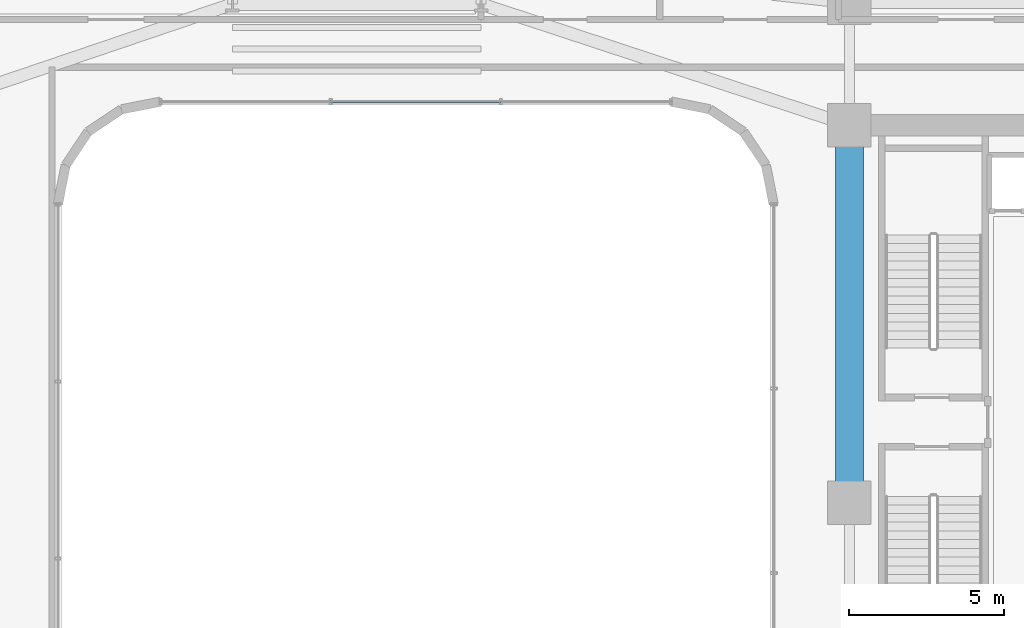
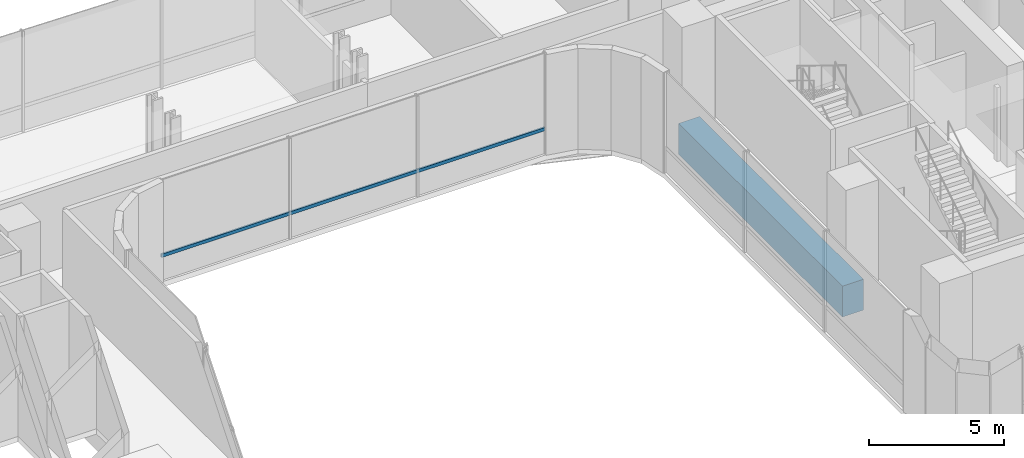
# One storey, part 17 of 39: 1 beam, 1 member, 1 element without a shape of its own.
"""IFC4 building model written with IfcOpenShell, lengths in metres."""

from ifc_helpers import new_model, si_unit, direction, frame, origin, origin_2d, place, context, subcontext, project, spatial, rectangle, hollow_rectangle, extrude, source, transform, mapped, material, material_profile, profile_set, type_object, element, aggregate, save


model = new_model("IFC4")

# Units and contexts
model_context = context("Model", 3, precision=1e-05, world=origin(), true_north=direction((0.0, 1.0)))
body_context = subcontext(model_context, "Body", "Model", "MODEL_VIEW")
ifc_project = project(units=[si_unit("LENGTHUNIT", "METRE"), si_unit("AREAUNIT", "SQUARE_METRE"), si_unit("VOLUMEUNIT", "CUBIC_METRE"), si_unit("PLANEANGLEUNIT", "RADIAN"), si_unit("MASSUNIT", "GRAM", prefix="KILO")], contexts=[model_context])

# Site, building, storey
site_placement = place(None, origin())
site = spatial("IfcSite", under=ifc_project, at=site_placement, CompositionType="ELEMENT")
building_placement = place(site_placement, origin())
building = spatial("IfcBuilding", under=site, at=building_placement, Name="Valdorenza Pilgrim Sanctuary Tower", CompositionType="ELEMENT")
storey_placement = place(building_placement, frame((0.0, 0.0, 96.300048828125)))
storey = spatial("IfcBuildingStorey", under=building, at=storey_placement, Name="L24", CompositionType="ELEMENT", Elevation=96.300048828125)

# Beam
ifc_material_1 = material(Name="Concrete C60/75", Category="concrete")
ifc_material_profile_1 = material_profile(ifc_material_1, rectangle(XDim=0.89990234375, YDim=1.39990234375, at=origin_2d()), Name="RC 1400x900")
ifc_profile_set_1 = profile_set([ifc_material_profile_1], Name="Concrete C60/75")
beam_type = type_object("IfcBeamType", Name="STR-BM-LNT-1400", PredefinedType="LINTEL", material=ifc_profile_set_1)
shared_shape_1 = source(origin(), body_context, "Body", "SweptSolid", [
    extrude(rectangle(XDim=0.89990234375, YDim=1.39990234375, at=origin_2d()), origin(), (0.0, 0.0, 1.0), 12.150146484375),
])
beam_placement = place(storey_placement, frame((15.85009765625, -2.60009765625, -0.739990234375), z_axis=(0.0, 1.0, 0.0), x_axis=(-1.0, 0.0, 0.0)))
element("IfcBeam", 1, at=beam_placement, inside=storey, type_object=beam_type, Name="L24 Core B West Coupling Lintel Girder", PredefinedType="LINTEL", context=body_context, shape_type="MappedRepresentation", body=[
    mapped(shared_shape_1, transform((0.0, 0.0, 0.0), x_axis=(1.0, 0.0, 0.0), y_axis=(0.0, 1.0, 0.0), z_axis=(0.0, 0.0, 1.0), scale=1.0)),
])

# Curtain wall, member
ifc_material_2 = material(Name="Curtain-wall IGU glazing", Category="glass")
curtain_wall_type = type_object("IfcCurtainWallType", Name="CW-SYS-02", PredefinedType="NOTDEFINED", material=ifc_material_2)
curtain_wall_placement = place(storey_placement, origin())
curtain_wall = element("IfcCurtainWall", 2, at=curtain_wall_placement, inside=storey, type_object=curtain_wall_type, Name="L24 Curtain Wall CW-L24-1-36", PredefinedType="NOTDEFINED")
ifc_material_3 = material(Name="Anodised aluminium AW-6060", Category="aluminium")
ifc_material_profile_2 = material_profile(ifc_material_3, hollow_rectangle(XDim=0.074951171875, YDim=0.14990234375, WallThickness=0.00390625, at=origin_2d()), Name="ALU-T 150x75x4")
ifc_profile_set_2 = profile_set([ifc_material_profile_2], Name="Anodised aluminium AW-6060")
member_type = type_object("IfcMemberType", Name="CW-TRN-02", PredefinedType="USERDEFINED", material=ifc_profile_set_2)
shared_shape_2 = source(origin(), body_context, "Body", "SweptSolid", [
    extrude(hollow_rectangle(XDim=0.074951171875, YDim=0.14990234375, WallThickness=0.00390625, at=origin_2d()), origin(), (0.0, 0.0, 1.0), 16.421630859375),
])
member_placement = place(storey_placement, frame((10.11083984375, 10.31005859375, 1.119873046875), z_axis=(-1.0, 0.0, 0.0), x_axis=(0.0, -1.0, 0.0)))
member = element("IfcMember", 3, at=member_placement, type_object=member_type, Name="CW-L24-1-36 Transom 1", ObjectType="TRANSOM", PredefinedType="USERDEFINED", context=body_context, shape_type="MappedRepresentation", body=[
    mapped(shared_shape_2, transform((0.0, 0.0, 0.0), x_axis=(1.0, 0.0, 0.0), y_axis=(0.0, 1.0, 0.0), z_axis=(0.0, 0.0, 1.0), scale=1.0)),
])
aggregate(curtain_wall, [member])

save(model, "model.ifc")
